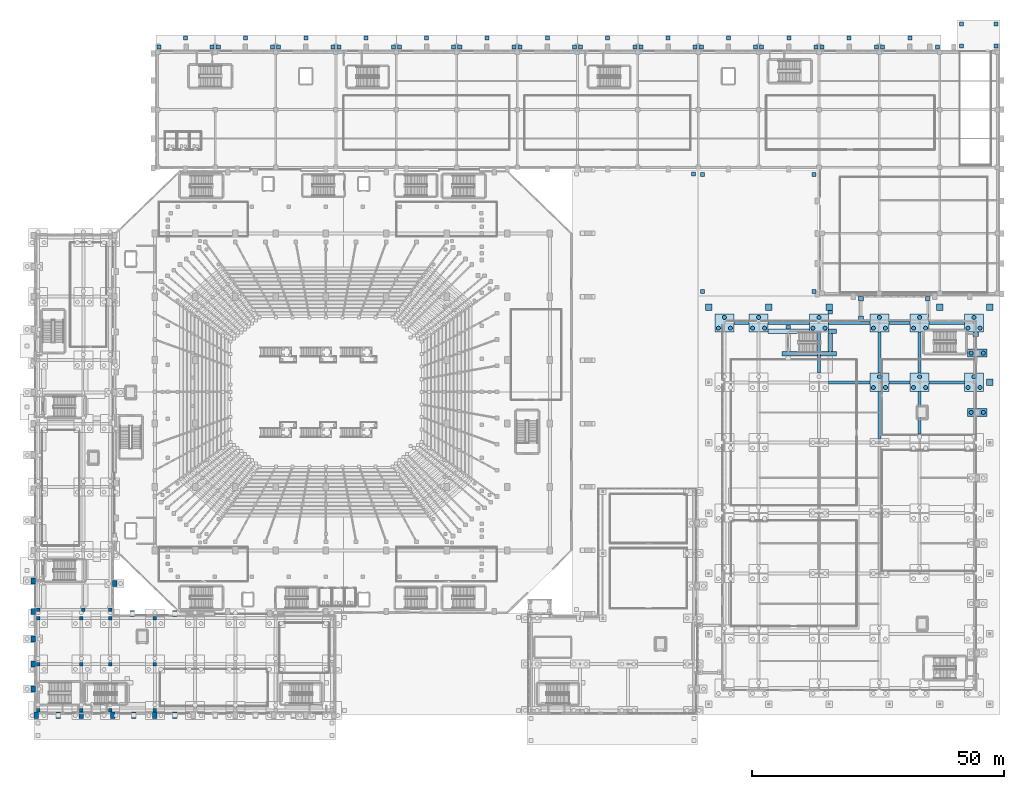
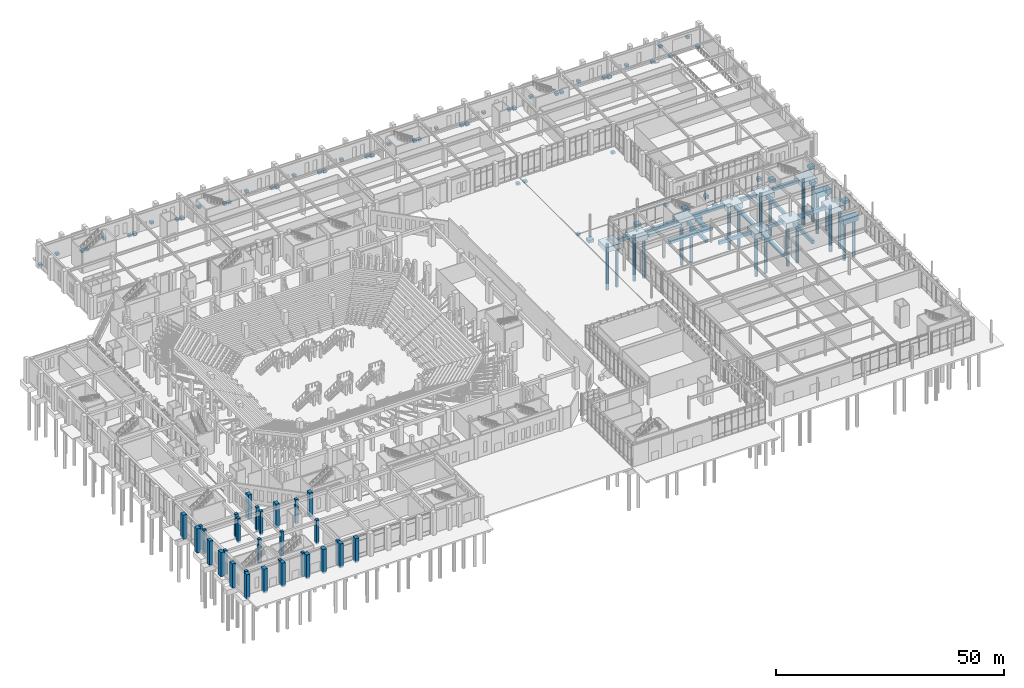
# One storey, part 5 of 143: 89 footings, 31 piles, 30 columns.
"""IFC4 building model written with IfcOpenShell, lengths in metres."""

from ifc_helpers import new_model, si_unit, derived_unit, direction, frame, origin, origin_2d, place, context, subcontext, project, spatial, rectangle, circle, extrude, material, layer, layer_set, material_profile, profile_set, type_object, element, save


model = new_model("IFC4")

# Units and contexts
model_context = context("Model", 3, precision=1e-05, world=origin(), true_north=direction((0.0, 1.0)))
body_context = subcontext(model_context, "Body", "Model", "MODEL_VIEW")
ifc_project = project(units=[si_unit("LENGTHUNIT", "METRE"), si_unit("AREAUNIT", "SQUARE_METRE"), si_unit("VOLUMEUNIT", "CUBIC_METRE"), si_unit("PLANEANGLEUNIT", "RADIAN"), si_unit("MASSUNIT", "GRAM", prefix="KILO"), derived_unit("THERMALTRANSMITTANCEUNIT", [(si_unit("MASSUNIT", "GRAM", prefix="KILO"), 1), (si_unit("TIMEUNIT", "SECOND"), -3), (si_unit("THERMODYNAMICTEMPERATUREUNIT", "KELVIN"), -1)])], contexts=[model_context])

# Site, building, storey
site_placement = place(None, origin())
site = spatial("IfcSite", under=ifc_project, at=site_placement, CompositionType="ELEMENT")
building_placement = place(site_placement, origin())
building = spatial("IfcBuilding", under=site, at=building_placement, Name="Valcora Ridge Arena", CompositionType="ELEMENT")
storey_placement = place(building_placement, origin())
storey = spatial("IfcBuildingStorey", under=building, at=storey_placement, Name="L00", CompositionType="ELEMENT", Elevation=0.0)

# Footings
ifc_material_1 = material(Name="Concrete C40/50", Category="concrete")
ifc_layer_1 = layer(ifc_material_1, 1.39990234375, Name="Concrete C40/50")
ifc_layer_set_1 = layer_set([ifc_layer_1], Name="Concrete C40/50")
footing_type_1 = type_object("IfcFootingType", Name="TY-FOOTING-PC-2P800", PredefinedType="PILE_CAP", material=ifc_layer_set_1)
for number, where, z_axis, x_axis, name in (
    (1, (187.449951171875, 60.0, -1.849853515625), (0.0, 0.0, 1.0), (1.0, 0.0, 0.0), "PC-2P800 FND-PC-0247"),
    (2, (187.449951171875, 71.800048828125, -1.849853515625), (0.0, 0.0, 1.0), (1.0, 0.0, 0.0), "PC-2P800 FND-PC-0248"),
):
    element("IfcFooting", number, at=place(storey_placement, frame(where, z_axis=z_axis, x_axis=x_axis)), inside=storey, type_object=footing_type_1, Name=name, PredefinedType="PILE_CAP", context=body_context, shape_type="SweptSolid", body=[
        extrude(rectangle(XDim=3.800048828125, YDim=1.60009765625, at=origin_2d()), origin(), (0.0, 0.0, 1.0), 1.39990234375),
    ])
ifc_layer_2 = layer(ifc_material_1, 1.39990234375, Name="Concrete C40/50")
ifc_layer_set_2 = layer_set([ifc_layer_2], Name="Concrete C40/50")
footing_type_2 = type_object("IfcFootingType", Name="TY-FOOTING-PC-3P800", PredefinedType="PILE_CAP", material=ifc_layer_set_2)
for number, where, z_axis, x_axis, name in (
    (3, (137.199951171875, 77.800048828125, -1.849853515625), (0.0, 0.0, 1.0), (1.0, 0.0, 0.0), "PC-3P800 FND-PC-0121"),
    (4, (144.0, 77.800048828125, -1.849853515625), (0.0, 0.0, 1.0), (1.0, 0.0, 0.0), "PC-3P800 FND-PC-0128"),
    (5, (156.0, 77.800048828125, -1.849853515625), (0.0, 0.0, 1.0), (1.0, 0.0, 0.0), "PC-3P800 FND-PC-0135"),
    (6, (168.0, 66.0, -1.849853515625), (0.0, 0.0, 1.0), (1.0, 0.0, 0.0), "PC-3P800 FND-PC-0141"),
    (7, (168.0, 77.800048828125, -1.849853515625), (0.0, 0.0, 1.0), (1.0, 0.0, 0.0), "PC-3P800 FND-PC-0142"),
    (8, (176.0, 66.0, -1.849853515625), (0.0, 0.0, 1.0), (1.0, 0.0, 0.0), "PC-3P800 FND-PC-0147"),
    (9, (176.0, 77.800048828125, -1.849853515625), (0.0, 0.0, 1.0), (1.0, 0.0, 0.0), "PC-3P800 FND-PC-0148"),
    (10, (186.800048828125, 66.0, -1.849853515625), (0.0, 0.0, 1.0), (1.0, 0.0, 0.0), "PC-3P800 FND-PC-0154"),
    (11, (186.800048828125, 77.800048828125, -1.849853515625), (0.0, 0.0, 1.0), (1.0, 0.0, 0.0), "PC-3P800 FND-PC-0155"),
):
    element("IfcFooting", number, at=place(storey_placement, frame(where, z_axis=z_axis, x_axis=x_axis)), inside=storey, type_object=footing_type_2, Name=name, PredefinedType="PILE_CAP", context=body_context, shape_type="SweptSolid", body=[
        extrude(rectangle(XDim=3.800048828125, YDim=3.60009765625, at=origin_2d()), origin(), (0.0, 0.0, 1.0), 1.39990234375),
    ])
ifc_layer_3 = layer(ifc_material_1, 0.800048828125, Name="Concrete C40/50")
ifc_layer_set_3 = layer_set([ifc_layer_3], Name="Concrete C40/50")
footing_type_3 = type_object("IfcFootingType", Name="TY-FOOTING-PF-130", PredefinedType="PAD_FOOTING", material=ifc_layer_set_3)
for number, where, z_axis, x_axis, name in (
    (12, (134.050048828125, 80.949951171875, -1.25), (0.0, 0.0, 1.0), (1.0, 0.0, 0.0), "PF-130 FND-SF-0018"),
    (13, (189.949951171875, 66.0, -1.25), (0.0, 0.0, 1.0), (1.0, 0.0, 0.0), "PF-130 FND-SF-0024"),
    (14, (189.949951171875, 80.949951171875, -1.25), (0.0, 0.0, 1.0), (1.0, 0.0, 0.0), "PF-130 FND-SF-0025"),
    (15, (146.0, 80.949951171875, -1.25), (0.0, 0.0, 1.0), (1.0, 0.0, 0.0), "PF-130 FND-SF-0030"),
    (16, (158.0, 80.949951171875, -1.25), (0.0, 0.0, 1.0), (1.0, 0.0, 0.0), "PF-130 FND-SF-0031"),
    (17, (180.0, 80.949951171875, -1.25), (0.0, 0.0, 1.0), (1.0, 0.0, 0.0), "PF-130 FND-SF-0032"),
):
    element("IfcFooting", number, at=place(storey_placement, frame(where, z_axis=z_axis, x_axis=x_axis)), inside=storey, type_object=footing_type_3, Name=name, PredefinedType="PAD_FOOTING", context=body_context, shape_type="SweptSolid", body=[
        extrude(rectangle(XDim=1.300048828125, YDim=1.300048828125, at=origin_2d()), origin(), (0.0, 0.0, 1.0), 0.800048828125),
    ])
ifc_layer_4 = layer(ifc_material_1, 0.800048828125, Name="Concrete C40/50")
ifc_layer_set_4 = layer_set([ifc_layer_4], Name="Concrete C40/50")
footing_type_4 = type_object("IfcFootingType", Name="TY-FOOTING-SF-BRG-900", PredefinedType="STRIP_FOOTING", material=ifc_layer_set_4)
for number, where, z_axis, x_axis, name in (
    (18, (164.35009765625, 78.699951171875, -1.25), (0.0, 0.0, 1.0), (1.0, 0.0, 0.0), "SF-BRG-900 FND-SF-0047"),
    (19, (164.35009765625, 82.64990234375, -1.25), (0.0, 0.0, 1.0), (1.0, 0.0, 0.0), "SF-BRG-900 FND-SF-0048"),
    (20, (177.64990234375, 82.64990234375, -1.25), (0.0, 0.0, 1.0), (1.0, 0.0, 0.0), "SF-BRG-900 FND-SF-0049"),
):
    element("IfcFooting", number, at=place(storey_placement, frame(where, z_axis=z_axis, x_axis=x_axis)), inside=storey, type_object=footing_type_4, Name=name, PredefinedType="STRIP_FOOTING", context=body_context, shape_type="SweptSolid", body=[
        extrude(rectangle(XDim=0.89990234375, YDim=0.89990234375, at=origin_2d()), origin(), (0.0, 0.0, 1.0), 0.800048828125),
    ])
ifc_material_2 = material(Name="Fire-resisting reinforced concrete enclosure C40/50 200 mm", Category="concrete")
ifc_layer_5 = layer(ifc_material_2, 0.800048828125, Name="Fire-resisting reinforced concrete enclosure C40/50 200 mm")
ifc_layer_set_5 = layer_set([ifc_layer_5], Name="Fire-resisting reinforced concrete enclosure C40/50 200 mm")
footing_type_5 = type_object("IfcFootingType", Name="TY-FOOTING-SF-ES-900", PredefinedType="STRIP_FOOTING", material=ifc_layer_set_5)
footing_1_placement = place(storey_placement, frame((152.18994140625, 71.68994140625, -1.25), z_axis=(0.0, 0.0, 1.0), x_axis=(1.0, 0.0, 0.0)))
element("IfcFooting", 21, at=footing_1_placement, inside=storey, type_object=footing_type_5, Name="SF-ES-900 FND-SF-0084", PredefinedType="STRIP_FOOTING", context=body_context, shape_type="SweptSolid", body=[
    extrude(rectangle(XDim=7.01806640625, YDim=0.89990234375, at=origin_2d()), origin(), (0.0, 0.0, 1.0), 0.800048828125),
])
footing_2_placement = place(storey_placement, frame((157.89111328125, 71.68994140625, -1.25), z_axis=(0.0, 0.0, 1.0), x_axis=(1.0, 0.0, 0.0)))
element("IfcFooting", 22, at=footing_2_placement, inside=storey, type_object=footing_type_5, Name="SF-ES-900 FND-SF-0085", PredefinedType="STRIP_FOOTING", context=body_context, shape_type="SweptSolid", body=[
    extrude(rectangle(XDim=3.177978515625, YDim=0.89990234375, at=origin_2d()), origin(), (0.0, 0.0, 1.0), 0.800048828125),
])
footing_3_placement = place(storey_placement, frame((150.0, 76.110107421875, -1.25), z_axis=(0.0, 0.0, 1.0), x_axis=(1.0, 0.0, 0.0)))
element("IfcFooting", 23, at=footing_3_placement, inside=storey, type_object=footing_type_5, Name="SF-ES-900 FND-SF-0086", PredefinedType="STRIP_FOOTING", context=body_context, shape_type="SweptSolid", body=[
    extrude(rectangle(XDim=8.197998046875, YDim=0.89990234375, at=origin_2d()), origin(), (0.0, 0.0, 1.0), 0.800048828125),
])
footing_4_placement = place(storey_placement, frame((158.69091796875, 76.110107421875, -1.25), z_axis=(0.0, 0.0, 1.0), x_axis=(1.0, 0.0, 0.0)))
element("IfcFooting", 24, at=footing_4_placement, inside=storey, type_object=footing_type_5, Name="SF-ES-900 FND-SF-0087", PredefinedType="STRIP_FOOTING", context=body_context, shape_type="SweptSolid", body=[
    extrude(rectangle(XDim=1.577880859375, YDim=0.89990234375, at=origin_2d()), origin(), (0.0, 0.0, 1.0), 0.800048828125),
])
ifc_layer_6 = layer(ifc_material_2, 0.800048828125, Name="Fire-resisting reinforced concrete enclosure C40/50 200 mm")
ifc_layer_set_6 = layer_set([ifc_layer_6], Name="Fire-resisting reinforced concrete enclosure C40/50 200 mm")
footing_type_6 = type_object("IfcFootingType", Name="TY-FOOTING-SF-ESW-900", PredefinedType="STRIP_FOOTING", material=ifc_layer_set_6)
footing_5_placement = place(storey_placement, frame((149.889892578125, 76.94091796875, -1.25), z_axis=(0.0, 0.0, 1.0), x_axis=(1.0, 0.0, 0.0)))
element("IfcFooting", 25, at=footing_5_placement, inside=storey, type_object=footing_type_6, Name="SF-ESW-900 FND-SF-0090", PredefinedType="STRIP_FOOTING", context=body_context, shape_type="SweptSolid", body=[
    extrude(rectangle(XDim=0.89990234375, YDim=0.758056640625, at=origin_2d()), origin(), (0.0, 0.0, 1.0), 0.800048828125),
])
footing_6_placement = place(storey_placement, frame((158.27001953125, 73.89990234375, -1.25), z_axis=(0.0, 0.0, 1.0), x_axis=(1.0, 0.0, 0.0)))
element("IfcFooting", 26, at=footing_6_placement, inside=storey, type_object=footing_type_6, Name="SF-ESW-900 FND-SF-0092", PredefinedType="STRIP_FOOTING", context=body_context, shape_type="SweptSolid", body=[
    extrude(rectangle(XDim=0.89990234375, YDim=3.51806640625, at=origin_2d()), origin(), (0.0, 0.0, 1.0), 0.800048828125),
])
footing_7_placement = place(storey_placement, frame((158.27001953125, 79.949951171875, -1.25), z_axis=(0.0, 0.0, 1.0), x_axis=(1.0, 0.0, 0.0)))
element("IfcFooting", 27, at=footing_7_placement, inside=storey, type_object=footing_type_6, Name="SF-ESW-900 FND-SF-0093", PredefinedType="STRIP_FOOTING", context=body_context, shape_type="SweptSolid", body=[
    extrude(rectangle(XDim=0.89990234375, YDim=0.697998046875, at=origin_2d()), origin(), (0.0, 0.0, 1.0), 0.800048828125),
])
ifc_layer_7 = layer(ifc_material_1, 0.60009765625, Name="Concrete C40/50")
ifc_layer_set_7 = layer_set([ifc_layer_7], Name="Concrete C40/50")
footing_type_7 = type_object("IfcFootingType", Name="TY-FOOTING-SF-PVG-800", PredefinedType="STRIP_FOOTING", material=ifc_layer_set_7)
for number, where, z_axis, x_axis, name in (
    (28, (184.300048828125, 132.800048828125, -1.0), (0.0, 0.0, 1.0), (1.0, 0.0, 0.0), "SF-PVG-800 FND-PV-0001"),
    (29, (191.199951171875, 132.800048828125, -1.0), (0.0, 0.0, 1.0), (1.0, 0.0, 0.0), "SF-PVG-800 FND-PV-0002"),
    (30, (191.199951171875, 137.199951171875, -1.0), (0.0, 0.0, 1.0), (1.0, 0.0, 0.0), "SF-PVG-800 FND-PV-0003"),
    (31, (184.300048828125, 137.199951171875, -1.0), (0.0, 0.0, 1.0), (1.0, 0.0, 0.0), "SF-PVG-800 FND-PV-0004"),
    (32, (131.050048828125, 107.39990234375, -1.0), (0.0, 0.0, 1.0), (1.0, 0.0, 0.0), "SF-PVG-800 FND-PV-0014"),
    (33, (132.800048828125, 84.0, -1.0), (0.0, 0.0, 1.0), (1.0, 0.0, 0.0), "SF-PVG-800 FND-PV-0020"),
    (34, (155.0, 84.0, -1.0), (0.0, 0.0, 1.0), (1.0, 0.0, 0.0), "SF-PVG-800 FND-PV-0021"),
    (35, (155.0, 107.300048828125, -1.0), (0.0, 0.0, 1.0), (1.0, 0.0, 0.0), "SF-PVG-800 FND-PV-0022"),
    (36, (132.800048828125, 107.300048828125, -1.0), (0.0, 0.0, 1.0), (1.0, 0.0, 0.0), "SF-PVG-800 FND-PV-0023"),
    (37, (24.820068359375, 132.60009765625, -0.840087890625), (0.0, 0.0, 1.0), (1.0, 0.0, 0.0), "SF-PVG-800 FND-PV-0024"),
    (38, (35.39990234375, 132.60009765625, -0.840087890625), (0.0, 0.0, 1.0), (1.0, 0.0, 0.0), "SF-PVG-800 FND-PV-0025"),
    (39, (30.110107421875, 134.39990234375, -0.840087890625), (0.0, 0.0, 1.0), (1.0, 0.0, 0.0), "SF-PVG-800 FND-PV-0026"),
    (40, (36.60009765625, 132.60009765625, -0.840087890625), (0.0, 0.0, 1.0), (1.0, 0.0, 0.0), "SF-PVG-800 FND-PV-0027"),
    (41, (47.39990234375, 132.60009765625, -0.840087890625), (0.0, 0.0, 1.0), (1.0, 0.0, 0.0), "SF-PVG-800 FND-PV-0028"),
    (42, (42.0, 134.39990234375, -0.840087890625), (0.0, 0.0, 1.0), (1.0, 0.0, 0.0), "SF-PVG-800 FND-PV-0029"),
    (43, (48.60009765625, 132.60009765625, -0.840087890625), (0.0, 0.0, 1.0), (1.0, 0.0, 0.0), "SF-PVG-800 FND-PV-0030"),
    (44, (59.39990234375, 132.60009765625, -0.840087890625), (0.0, 0.0, 1.0), (1.0, 0.0, 0.0), "SF-PVG-800 FND-PV-0031"),
    (45, (54.0, 134.39990234375, -0.840087890625), (0.0, 0.0, 1.0), (1.0, 0.0, 0.0), "SF-PVG-800 FND-PV-0032"),
    (46, (60.60009765625, 132.60009765625, -0.840087890625), (0.0, 0.0, 1.0), (1.0, 0.0, 0.0), "SF-PVG-800 FND-PV-0033"),
    (47, (71.39990234375, 132.60009765625, -0.840087890625), (0.0, 0.0, 1.0), (1.0, 0.0, 0.0), "SF-PVG-800 FND-PV-0034"),
    (48, (66.0, 134.39990234375, -0.840087890625), (0.0, 0.0, 1.0), (1.0, 0.0, 0.0), "SF-PVG-800 FND-PV-0035"),
    (49, (72.60009765625, 132.60009765625, -0.840087890625), (0.0, 0.0, 1.0), (1.0, 0.0, 0.0), "SF-PVG-800 FND-PV-0036"),
    (50, (83.39990234375, 132.60009765625, -0.840087890625), (0.0, 0.0, 1.0), (1.0, 0.0, 0.0), "SF-PVG-800 FND-PV-0037"),
    (51, (78.0, 134.39990234375, -0.840087890625), (0.0, 0.0, 1.0), (1.0, 0.0, 0.0), "SF-PVG-800 FND-PV-0038"),
    (52, (84.60009765625, 132.60009765625, -0.840087890625), (0.0, 0.0, 1.0), (1.0, 0.0, 0.0), "SF-PVG-800 FND-PV-0039"),
    (53, (95.39990234375, 132.60009765625, -0.840087890625), (0.0, 0.0, 1.0), (1.0, 0.0, 0.0), "SF-PVG-800 FND-PV-0040"),
    (54, (90.0, 134.39990234375, -0.840087890625), (0.0, 0.0, 1.0), (1.0, 0.0, 0.0), "SF-PVG-800 FND-PV-0041"),
    (55, (96.60009765625, 132.60009765625, -0.840087890625), (0.0, 0.0, 1.0), (1.0, 0.0, 0.0), "SF-PVG-800 FND-PV-0042"),
    (56, (107.39990234375, 132.60009765625, -0.840087890625), (0.0, 0.0, 1.0), (1.0, 0.0, 0.0), "SF-PVG-800 FND-PV-0043"),
    (57, (102.0, 134.39990234375, -0.840087890625), (0.0, 0.0, 1.0), (1.0, 0.0, 0.0), "SF-PVG-800 FND-PV-0044"),
    (58, (108.60009765625, 132.60009765625, -0.840087890625), (0.0, 0.0, 1.0), (1.0, 0.0, 0.0), "SF-PVG-800 FND-PV-0045"),
    (59, (119.39990234375, 132.60009765625, -0.840087890625), (0.0, 0.0, 1.0), (1.0, 0.0, 0.0), "SF-PVG-800 FND-PV-0046"),
    (60, (114.0, 134.39990234375, -0.840087890625), (0.0, 0.0, 1.0), (1.0, 0.0, 0.0), "SF-PVG-800 FND-PV-0047"),
    (61, (120.60009765625, 132.60009765625, -0.840087890625), (0.0, 0.0, 1.0), (1.0, 0.0, 0.0), "SF-PVG-800 FND-PV-0048"),
    (62, (131.39990234375, 132.60009765625, -0.840087890625), (0.0, 0.0, 1.0), (1.0, 0.0, 0.0), "SF-PVG-800 FND-PV-0049"),
    (63, (126.0, 134.39990234375, -0.840087890625), (0.0, 0.0, 1.0), (1.0, 0.0, 0.0), "SF-PVG-800 FND-PV-0050"),
    (64, (132.60009765625, 132.60009765625, -0.840087890625), (0.0, 0.0, 1.0), (1.0, 0.0, 0.0), "SF-PVG-800 FND-PV-0051"),
    (65, (143.39990234375, 132.60009765625, -0.840087890625), (0.0, 0.0, 1.0), (1.0, 0.0, 0.0), "SF-PVG-800 FND-PV-0052"),
    (66, (138.0, 134.39990234375, -0.840087890625), (0.0, 0.0, 1.0), (1.0, 0.0, 0.0), "SF-PVG-800 FND-PV-0053"),
    (67, (144.60009765625, 132.60009765625, -0.840087890625), (0.0, 0.0, 1.0), (1.0, 0.0, 0.0), "SF-PVG-800 FND-PV-0054"),
    (68, (155.39990234375, 132.60009765625, -0.840087890625), (0.0, 0.0, 1.0), (1.0, 0.0, 0.0), "SF-PVG-800 FND-PV-0055"),
    (69, (150.0, 134.39990234375, -0.840087890625), (0.0, 0.0, 1.0), (1.0, 0.0, 0.0), "SF-PVG-800 FND-PV-0056"),
    (70, (156.60009765625, 132.60009765625, -0.840087890625), (0.0, 0.0, 1.0), (1.0, 0.0, 0.0), "SF-PVG-800 FND-PV-0057"),
    (71, (167.39990234375, 132.60009765625, -0.840087890625), (0.0, 0.0, 1.0), (1.0, 0.0, 0.0), "SF-PVG-800 FND-PV-0058"),
    (72, (162.0, 134.39990234375, -0.840087890625), (0.0, 0.0, 1.0), (1.0, 0.0, 0.0), "SF-PVG-800 FND-PV-0059"),
    (73, (168.60009765625, 132.60009765625, -0.840087890625), (0.0, 0.0, 1.0), (1.0, 0.0, 0.0), "SF-PVG-800 FND-PV-0060"),
    (74, (179.60009765625, 132.60009765625, -0.840087890625), (0.0, 0.0, 1.0), (1.0, 0.0, 0.0), "SF-PVG-800 FND-PV-0061"),
    (75, (174.10009765625, 134.39990234375, -0.840087890625), (0.0, 0.0, 1.0), (1.0, 0.0, 0.0), "SF-PVG-800 FND-PV-0062"),
):
    element("IfcFooting", number, at=place(storey_placement, frame(where, z_axis=z_axis, x_axis=x_axis)), inside=storey, type_object=footing_type_7, Name=name, PredefinedType="STRIP_FOOTING", context=body_context, shape_type="SweptSolid", body=[
        extrude(rectangle(XDim=0.800048828125, YDim=0.800048828125, at=origin_2d()), origin(), (0.0, 0.0, 1.0), 0.60009765625),
    ])
ifc_layer_8 = layer(ifc_material_1, 0.800048828125, Name="Concrete C40/50")
ifc_layer_set_8 = layer_set([ifc_layer_8], Name="Concrete C40/50")
footing_type_8 = type_object("IfcFootingType", Name="TY-FOOTING-SF-STRAP-900", PredefinedType="STRIP_FOOTING", material=ifc_layer_set_8)
footing_8_placement = place(storey_placement, frame((187.199951171875, 75.52490234375, -1.25), z_axis=(0.0, 0.0, 1.0), x_axis=(1.0, 0.0, 0.0)))
element("IfcFooting", 76, at=footing_8_placement, inside=storey, type_object=footing_type_8, Name="SF-STRAP-900 FND-SF-0011", PredefinedType="STRIP_FOOTING", context=body_context, shape_type="SweptSolid", body=[
    extrude(rectangle(XDim=1.10009765625, YDim=0.947998046875, at=origin_2d()), origin(), (0.0, 0.0, 1.0), 0.800048828125),
])
ifc_layer_9 = layer(ifc_material_1, 0.89990234375, Name="Concrete C40/50")
ifc_layer_set_9 = layer_set([ifc_layer_9], Name="Concrete C40/50")
footing_type_9 = type_object("IfcFootingType", Name="TY-FOOTING-TBX-030", PredefinedType="FOOTING_BEAM", material=ifc_layer_set_9)
footing_9_placement = place(storey_placement, frame((140.60009765625, 77.800048828125, -1.349853515625), z_axis=(0.0, 0.0, 1.0), x_axis=(1.0, 0.0, 0.0)))
element("IfcFooting", 77, at=footing_9_placement, inside=storey, type_object=footing_type_9, Name="TBX-030 FND-TB-0197", PredefinedType="FOOTING_BEAM", context=body_context, shape_type="SweptSolid", body=[
    extrude(rectangle(XDim=2.998046875, YDim=0.60009765625, at=origin_2d()), origin(), (0.0, 0.0, 1.0), 0.89990234375),
])
ifc_layer_10 = layer(ifc_material_1, 0.89990234375, Name="Concrete C40/50")
ifc_layer_set_10 = layer_set([ifc_layer_10], Name="Concrete C40/50")
footing_type_10 = type_object("IfcFootingType", Name="TY-FOOTING-TBX-042", PredefinedType="FOOTING_BEAM", material=ifc_layer_set_10)
for number, where, z_axis, x_axis, name in (
    (78, (172.0, 66.0, -1.349853515625), (0.0, 0.0, 1.0), (1.0, 0.0, 0.0), "TBX-042 FND-TB-0195"),
    (79, (172.0, 77.800048828125, -1.349853515625), (0.0, 0.0, 1.0), (1.0, 0.0, 0.0), "TBX-042 FND-TB-0200"),
):
    element("IfcFooting", number, at=place(storey_placement, frame(where, z_axis=z_axis, x_axis=x_axis)), inside=storey, type_object=footing_type_10, Name=name, PredefinedType="FOOTING_BEAM", context=body_context, shape_type="SweptSolid", body=[
        extrude(rectangle(XDim=4.197998046875, YDim=0.60009765625, at=origin_2d()), origin(), (0.0, 0.0, 1.0), 0.89990234375),
    ])
ifc_layer_11 = layer(ifc_material_1, 0.89990234375, Name="Concrete C40/50")
ifc_layer_set_11 = layer_set([ifc_layer_11], Name="Concrete C40/50")
footing_type_11 = type_object("IfcFootingType", Name="TY-FOOTING-TBX-070", PredefinedType="FOOTING_BEAM", material=ifc_layer_set_11)
for number, where, z_axis, x_axis, name in (
    (80, (181.39990234375, 66.0, -1.349853515625), (0.0, 0.0, 1.0), (1.0, 0.0, 0.0), "TBX-070 FND-TB-0196"),
    (81, (181.39990234375, 77.800048828125, -1.349853515625), (0.0, 0.0, 1.0), (1.0, 0.0, 0.0), "TBX-070 FND-TB-0201"),
):
    element("IfcFooting", number, at=place(storey_placement, frame(where, z_axis=z_axis, x_axis=x_axis)), inside=storey, type_object=footing_type_11, Name=name, PredefinedType="FOOTING_BEAM", context=body_context, shape_type="SweptSolid", body=[
        extrude(rectangle(XDim=6.998046875, YDim=0.60009765625, at=origin_2d()), origin(), (0.0, 0.0, 1.0), 0.89990234375),
    ])
ifc_layer_12 = layer(ifc_material_1, 0.89990234375, Name="Concrete C40/50")
ifc_layer_set_12 = layer_set([ifc_layer_12], Name="Concrete C40/50")
footing_type_12 = type_object("IfcFootingType", Name="TY-FOOTING-TBX-082", PredefinedType="FOOTING_BEAM", material=ifc_layer_set_12)
for number, where, z_axis, x_axis, name in (
    (82, (162.0, 66.0, -1.349853515625), (0.0, 0.0, 1.0), (1.0, 0.0, 0.0), "TBX-082 FND-TB-0194"),
    (83, (150.0, 77.800048828125, -1.349853515625), (0.0, 0.0, 1.0), (1.0, 0.0, 0.0), "TBX-082 FND-TB-0198"),
    (84, (162.0, 77.800048828125, -1.349853515625), (0.0, 0.0, 1.0), (1.0, 0.0, 0.0), "TBX-082 FND-TB-0199"),
):
    element("IfcFooting", number, at=place(storey_placement, frame(where, z_axis=z_axis, x_axis=x_axis)), inside=storey, type_object=footing_type_12, Name=name, PredefinedType="FOOTING_BEAM", context=body_context, shape_type="SweptSolid", body=[
        extrude(rectangle(XDim=8.197998046875, YDim=0.60009765625, at=origin_2d()), origin(), (0.0, 0.0, 1.0), 0.89990234375),
    ])
ifc_layer_13 = layer(ifc_material_1, 0.89990234375, Name="Concrete C40/50")
ifc_layer_set_13 = layer_set([ifc_layer_13], Name="Concrete C40/50")
footing_type_13 = type_object("IfcFootingType", Name="TY-FOOTING-TBY-082", PredefinedType="FOOTING_BEAM", material=ifc_layer_set_13)
for number, where, z_axis, x_axis, name in (
    (85, (156.0, 71.89990234375, -1.349853515625), (0.0, 0.0, 1.0), (1.0, 0.0, 0.0), "TBY-082 FND-TB-0258"),
    (86, (168.0, 71.89990234375, -1.349853515625), (0.0, 0.0, 1.0), (1.0, 0.0, 0.0), "TBY-082 FND-TB-0264"),
    (87, (176.0, 71.89990234375, -1.349853515625), (0.0, 0.0, 1.0), (1.0, 0.0, 0.0), "TBY-082 FND-TB-0268"),
):
    element("IfcFooting", number, at=place(storey_placement, frame(where, z_axis=z_axis, x_axis=x_axis)), inside=storey, type_object=footing_type_13, Name=name, PredefinedType="FOOTING_BEAM", context=body_context, shape_type="SweptSolid", body=[
        extrude(rectangle(XDim=0.60009765625, YDim=8.197998046875, at=origin_2d()), origin(), (0.0, 0.0, 1.0), 0.89990234375),
    ])
ifc_layer_14 = layer(ifc_material_1, 0.89990234375, Name="Concrete C40/50")
ifc_layer_set_14 = layer_set([ifc_layer_14], Name="Concrete C40/50")
footing_type_14 = type_object("IfcFootingType", Name="TY-FOOTING-TBY-084", PredefinedType="FOOTING_BEAM", material=ifc_layer_set_14)
footing_10_placement = place(storey_placement, frame((176.0, 60.0, -1.349853515625), z_axis=(0.0, 0.0, 1.0), x_axis=(1.0, 0.0, 0.0)))
element("IfcFooting", 88, at=footing_10_placement, inside=storey, type_object=footing_type_14, Name="TBY-084 FND-TB-0267", PredefinedType="FOOTING_BEAM", context=body_context, shape_type="SweptSolid", body=[
    extrude(rectangle(XDim=0.60009765625, YDim=8.39794921875, at=origin_2d()), origin(), (0.0, 0.0, 1.0), 0.89990234375),
])
ifc_layer_15 = layer(ifc_material_1, 0.89990234375, Name="Concrete C40/50")
ifc_layer_set_15 = layer_set([ifc_layer_15], Name="Concrete C40/50")
footing_type_15 = type_object("IfcFootingType", Name="TY-FOOTING-TBY-094", PredefinedType="FOOTING_BEAM", material=ifc_layer_set_15)
footing_11_placement = place(storey_placement, frame((168.0, 59.5, -1.349853515625), z_axis=(0.0, 0.0, 1.0), x_axis=(1.0, 0.0, 0.0)))
element("IfcFooting", 89, at=footing_11_placement, inside=storey, type_object=footing_type_15, Name="TBY-094 FND-TB-0263", PredefinedType="FOOTING_BEAM", context=body_context, shape_type="SweptSolid", body=[
    extrude(rectangle(XDim=0.60009765625, YDim=9.39794921875, at=origin_2d()), origin(), (0.0, 0.0, 1.0), 0.89990234375),
])

# Piles
ifc_material_3 = material(Name="Concrete C35/45", Category="concrete")
ifc_material_profile_1 = material_profile(ifc_material_3, circle(Radius=0.39990234375, at=origin_2d()), Name="BORED PILE D800")
ifc_profile_set_1 = profile_set([ifc_material_profile_1], Name="Concrete C35/45")
pile_type_1 = type_object("IfcPileType", Name="TY-PILE-P-800A", PredefinedType="BORED", material=ifc_profile_set_1)
for number, where, z_axis, x_axis, name in (
    (90, (136.0, 76.75, -1.75), (0.0, 0.0, -1.0), (1.0, 0.0, 0.0), "P-800A FND-PL-P-800A-0019"),
    (91, (138.39990234375, 76.75, -1.75), (0.0, 0.0, -1.0), (1.0, 0.0, 0.0), "P-800A FND-PL-P-800A-0020"),
    (92, (137.199951171875, 78.89990234375, -1.75), (0.0, 0.0, -1.0), (1.0, 0.0, 0.0), "P-800A FND-PL-P-800A-0021"),
    (93, (142.800048828125, 76.75, -1.75), (0.0, 0.0, -1.0), (1.0, 0.0, 0.0), "P-800A FND-PL-P-800A-0040"),
    (94, (145.199951171875, 76.75, -1.75), (0.0, 0.0, -1.0), (1.0, 0.0, 0.0), "P-800A FND-PL-P-800A-0041"),
    (95, (144.0, 78.89990234375, -1.75), (0.0, 0.0, -1.0), (1.0, 0.0, 0.0), "P-800A FND-PL-P-800A-0042"),
    (96, (154.800048828125, 76.75, -1.75), (0.0, 0.0, -1.0), (1.0, 0.0, 0.0), "P-800A FND-PL-P-800A-0052"),
    (97, (157.199951171875, 76.75, -1.75), (0.0, 0.0, -1.0), (1.0, 0.0, 0.0), "P-800A FND-PL-P-800A-0053"),
    (98, (156.0, 78.89990234375, -1.75), (0.0, 0.0, -1.0), (1.0, 0.0, 0.0), "P-800A FND-PL-P-800A-0054"),
    (99, (166.800048828125, 64.949951171875, -1.75), (0.0, 0.0, -1.0), (1.0, 0.0, 0.0), "P-800A FND-PL-P-800A-0061"),
    (100, (169.199951171875, 64.949951171875, -1.75), (0.0, 0.0, -1.0), (1.0, 0.0, 0.0), "P-800A FND-PL-P-800A-0062"),
    (101, (168.0, 67.10009765625, -1.75), (0.0, 0.0, -1.0), (1.0, 0.0, 0.0), "P-800A FND-PL-P-800A-0063"),
    (102, (166.800048828125, 76.75, -1.75), (0.0, 0.0, -1.0), (1.0, 0.0, 0.0), "P-800A FND-PL-P-800A-0064"),
    (103, (169.199951171875, 76.75, -1.75), (0.0, 0.0, -1.0), (1.0, 0.0, 0.0), "P-800A FND-PL-P-800A-0065"),
    (104, (168.0, 78.89990234375, -1.75), (0.0, 0.0, -1.0), (1.0, 0.0, 0.0), "P-800A FND-PL-P-800A-0066"),
    (105, (174.800048828125, 64.949951171875, -1.75), (0.0, 0.0, -1.0), (1.0, 0.0, 0.0), "P-800A FND-PL-P-800A-0079"),
    (106, (177.199951171875, 64.949951171875, -1.75), (0.0, 0.0, -1.0), (1.0, 0.0, 0.0), "P-800A FND-PL-P-800A-0080"),
    (107, (176.0, 67.10009765625, -1.75), (0.0, 0.0, -1.0), (1.0, 0.0, 0.0), "P-800A FND-PL-P-800A-0081"),
    (108, (174.800048828125, 76.75, -1.75), (0.0, 0.0, -1.0), (1.0, 0.0, 0.0), "P-800A FND-PL-P-800A-0082"),
    (109, (177.199951171875, 76.75, -1.75), (0.0, 0.0, -1.0), (1.0, 0.0, 0.0), "P-800A FND-PL-P-800A-0083"),
    (110, (176.0, 78.89990234375, -1.75), (0.0, 0.0, -1.0), (1.0, 0.0, 0.0), "P-800A FND-PL-P-800A-0084"),
    (111, (185.60009765625, 64.949951171875, -1.75), (0.0, 0.0, -1.0), (1.0, 0.0, 0.0), "P-800A FND-PL-P-800A-0100"),
    (112, (188.0, 64.949951171875, -1.75), (0.0, 0.0, -1.0), (1.0, 0.0, 0.0), "P-800A FND-PL-P-800A-0101"),
    (113, (186.800048828125, 67.10009765625, -1.75), (0.0, 0.0, -1.0), (1.0, 0.0, 0.0), "P-800A FND-PL-P-800A-0102"),
    (114, (185.60009765625, 76.75, -1.75), (0.0, 0.0, -1.0), (1.0, 0.0, 0.0), "P-800A FND-PL-P-800A-0103"),
    (115, (188.0, 76.75, -1.75), (0.0, 0.0, -1.0), (1.0, 0.0, 0.0), "P-800A FND-PL-P-800A-0104"),
    (116, (186.800048828125, 78.89990234375, -1.75), (0.0, 0.0, -1.0), (1.0, 0.0, 0.0), "P-800A FND-PL-P-800A-0105"),
):
    element("IfcPile", number, at=place(storey_placement, frame(where, z_axis=z_axis, x_axis=x_axis)), inside=storey, type_object=pile_type_1, Name=name, PredefinedType="BORED", context=body_context, shape_type="SweptSolid", body=[
        extrude(circle(Radius=0.39990234375, at=origin_2d()), origin(), (0.0, 0.0, 1.0), 10.5),
    ])
ifc_material_profile_2 = material_profile(ifc_material_3, circle(Radius=0.39990234375, at=origin_2d()), Name="BORED PILE D800")
ifc_profile_set_2 = profile_set([ifc_material_profile_2], Name="Concrete C35/45")
pile_type_2 = type_object("IfcPileType", Name="TY-PILE-P-800B", PredefinedType="BORED", material=ifc_profile_set_2)
for number, where, z_axis, x_axis, name in (
    (117, (186.25, 60.0, -1.75), (0.0, 0.0, -1.0), (1.0, 0.0, 0.0), "P-800B FND-PL-P-800B-0101"),
    (118, (188.64990234375, 60.0, -1.75), (0.0, 0.0, -1.0), (1.0, 0.0, 0.0), "P-800B FND-PL-P-800B-0102"),
    (119, (186.25, 71.800048828125, -1.75), (0.0, 0.0, -1.0), (1.0, 0.0, 0.0), "P-800B FND-PL-P-800B-0103"),
    (120, (188.64990234375, 71.800048828125, -1.75), (0.0, 0.0, -1.0), (1.0, 0.0, 0.0), "P-800B FND-PL-P-800B-0104"),
):
    element("IfcPile", number, at=place(storey_placement, frame(where, z_axis=z_axis, x_axis=x_axis)), inside=storey, type_object=pile_type_2, Name=name, PredefinedType="BORED", context=body_context, shape_type="SweptSolid", body=[
        extrude(circle(Radius=0.39990234375, at=origin_2d()), origin(), (0.0, 0.0, 1.0), 10.0),
    ])

# Columns
ifc_material_4 = material(Name="Bush-hammered Andean travertine architectural concrete C45/55", Category="masonry")
ifc_material_profile_3 = material_profile(ifc_material_4, rectangle(XDim=0.89990234375, YDim=1.199951171875, at=origin_2d()), Name="RC 900x1200")
ifc_profile_set_3 = profile_set([ifc_material_profile_3], Name="Bush-hammered Andean travertine architectural concrete C45/55")
column_type_1 = type_object("IfcColumnType", Name="TY-COLUMN-C-BUTT-1200", PredefinedType="PILASTER", material=ifc_profile_set_3)
for number, where, z_axis, x_axis, name in (
    (121, (0.449951171875, -0.179931640625, -0.449951171875), (0.0, 0.0, 1.0), (1.0, 0.0, 0.0), "C-BUTT-1200 COL-C-BUTT-1200-0053"),
    (122, (9.39990234375, -0.179931640625, -0.449951171875), (0.0, 0.0, 1.0), (1.0, 0.0, 0.0), "C-BUTT-1200 COL-C-BUTT-1200-0056"),
    (123, (15.60009765625, -0.179931640625, -0.449951171875), (0.0, 0.0, 1.0), (1.0, 0.0, 0.0), "C-BUTT-1200 COL-C-BUTT-1200-0059"),
    (124, (24.0, -0.179931640625, -0.449951171875), (0.0, 0.0, 1.0), (1.0, 0.0, 0.0), "C-BUTT-1200 COL-C-BUTT-1200-0062"),
    (125, (-0.179931640625, 10.0, -0.449951171875), (0.0, 0.0, 1.0), (1.0, 0.0, 0.0), "C-BUTT-1200 COL-C-BUTT-1200-0080"),
    (126, (-0.179931640625, 20.39990234375, -0.449951171875), (0.0, 0.0, 1.0), (1.0, 0.0, 0.0), "C-BUTT-1200 COL-C-BUTT-1200-0083"),
    (127, (19.5, 20.0, -0.449951171875), (0.0, 0.0, 1.0), (1.0, 0.0, 0.0), "C-BUTT-1200 COL-C-BUTT-1200-0104"),
    (128, (28.0, 20.0, -0.449951171875), (0.0, 0.0, 1.0), (1.0, 0.0, 0.0), "C-BUTT-1200 COL-C-BUTT-1200-0107"),
    (129, (16.0, 26.0, -0.449951171875), (0.0, 0.0, 1.0), (1.0, 0.0, 0.0), "C-BUTT-1200 COL-C-BUTT-1200-0113"),
    (130, (4.800048828125, -0.179931640625, -0.449951171875), (0.0, 0.0, 1.0), (1.0, 0.0, 0.0), "C-BUTT-1200 COL-C-BUTT-1200-0389"),
    (131, (19.800048828125, -0.179931640625, -0.449951171875), (0.0, 0.0, 1.0), (1.0, 0.0, 0.0), "C-BUTT-1200 COL-C-BUTT-1200-0392"),
    (132, (28.0, -0.179931640625, -0.449951171875), (0.0, 0.0, 1.0), (1.0, 0.0, 0.0), "C-BUTT-1200 COL-C-BUTT-1200-0395"),
    (133, (-0.179931640625, 5.0, -0.449951171875), (0.0, 0.0, 1.0), (1.0, 0.0, 0.0), "C-BUTT-1200 COL-C-BUTT-1200-0407"),
    (134, (-0.179931640625, 15.0, -0.449951171875), (0.0, 0.0, 1.0), (1.0, 0.0, 0.0), "C-BUTT-1200 COL-C-BUTT-1200-0410"),
    (135, (-0.179931640625, 26.5, -0.449951171875), (0.0, 0.0, 1.0), (1.0, 0.0, 0.0), "C-BUTT-1200 COL-C-BUTT-1200-0413"),
):
    element("IfcColumn", number, at=place(storey_placement, frame(where, z_axis=z_axis, x_axis=x_axis)), inside=storey, type_object=column_type_1, Name=name, PredefinedType="PILASTER", context=body_context, shape_type="SweptSolid", body=[
        extrude(rectangle(XDim=0.89990234375, YDim=1.199951171875, at=origin_2d()), origin(), (0.0, 0.0, 1.0), 6.449951171875),
    ])
ifc_material_profile_4 = material_profile(ifc_material_1, rectangle(XDim=0.699951171875, YDim=0.699951171875, at=origin_2d()), Name="RC 700x700")
ifc_profile_set_4 = profile_set([ifc_material_profile_4], Name="Concrete C40/50")
column_type_2 = type_object("IfcColumnType", Name="TY-COLUMN-C-RC700", PredefinedType="COLUMN", material=ifc_profile_set_4)
for number, where, z_axis, x_axis, name in (
    (136, (0.800048828125, 0.800048828125, -0.449951171875), (0.0, 0.0, 1.0), (1.0, 0.0, 0.0), "C-RC700 COL-C-RC700-0029"),
    (137, (0.800048828125, 10.0, -0.449951171875), (0.0, 0.0, 1.0), (1.0, 0.0, 0.0), "C-RC700 COL-C-RC700-0031"),
    (138, (0.800048828125, 19.10009765625, -0.449951171875), (0.0, 0.0, 1.0), (1.0, 0.0, 0.0), "C-RC700 COL-C-RC700-0033"),
    (139, (9.39990234375, 0.800048828125, -0.449951171875), (0.0, 0.0, 1.0), (1.0, 0.0, 0.0), "C-RC700 COL-C-RC700-0035"),
    (140, (9.39990234375, 10.0, -0.449951171875), (0.0, 0.0, 1.0), (1.0, 0.0, 0.0), "C-RC700 COL-C-RC700-0037"),
    (141, (9.39990234375, 19.10009765625, -0.449951171875), (0.0, 0.0, 1.0), (1.0, 0.0, 0.0), "C-RC700 COL-C-RC700-0039"),
    (142, (15.10009765625, 0.800048828125, -0.449951171875), (0.0, 0.0, 1.0), (1.0, 0.0, 0.0), "C-RC700 COL-C-RC700-0041"),
    (143, (15.10009765625, 10.0, -0.449951171875), (0.0, 0.0, 1.0), (1.0, 0.0, 0.0), "C-RC700 COL-C-RC700-0043"),
    (144, (15.10009765625, 19.10009765625, -0.449951171875), (0.0, 0.0, 1.0), (1.0, 0.0, 0.0), "C-RC700 COL-C-RC700-0045"),
    (145, (24.0, 0.800048828125, -0.449951171875), (0.0, 0.0, 1.0), (1.0, 0.0, 0.0), "C-RC700 COL-C-RC700-0047"),
    (146, (24.0, 10.0, -0.449951171875), (0.0, 0.0, 1.0), (1.0, 0.0, 0.0), "C-RC700 COL-C-RC700-0049"),
    (147, (24.0, 19.10009765625, -0.449951171875), (0.0, 0.0, 1.0), (1.0, 0.0, 0.0), "C-RC700 COL-C-RC700-0051"),
    (148, (0.800048828125, 20.800048828125, -0.449951171875), (0.0, 0.0, 1.0), (1.0, 0.0, 0.0), "C-RC700 COL-C-RC700-0077"),
    (149, (9.800048828125, 20.800048828125, -0.449951171875), (0.0, 0.0, 1.0), (1.0, 0.0, 0.0), "C-RC700 COL-C-RC700-0091"),
    (150, (15.10009765625, 20.800048828125, -0.449951171875), (0.0, 0.0, 1.0), (1.0, 0.0, 0.0), "C-RC700 COL-C-RC700-0105"),
):
    element("IfcColumn", number, at=place(storey_placement, frame(where, z_axis=z_axis, x_axis=x_axis)), inside=storey, type_object=column_type_2, Name=name, PredefinedType="COLUMN", context=body_context, shape_type="SweptSolid", body=[
        extrude(rectangle(XDim=0.699951171875, YDim=0.699951171875, at=origin_2d()), origin(), (0.0, 0.0, 1.0), 6.449951171875),
    ])

save(model, "model.ifc")
